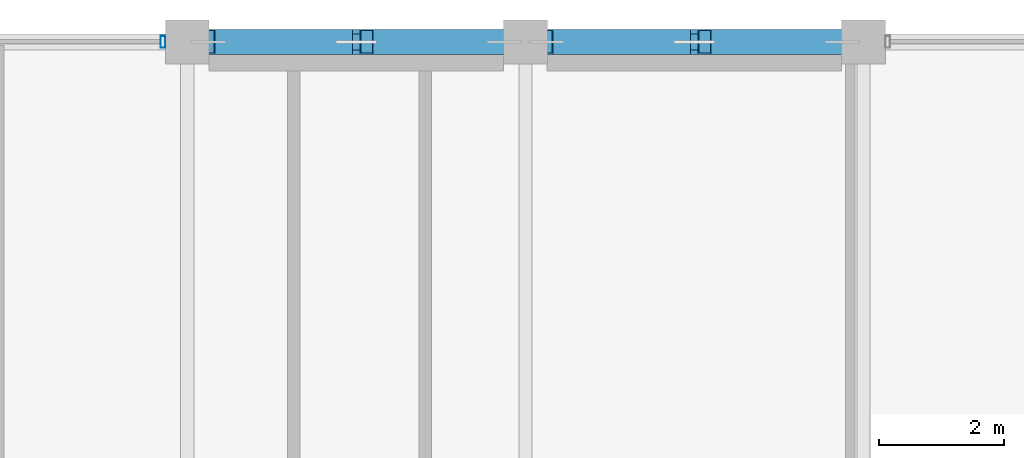
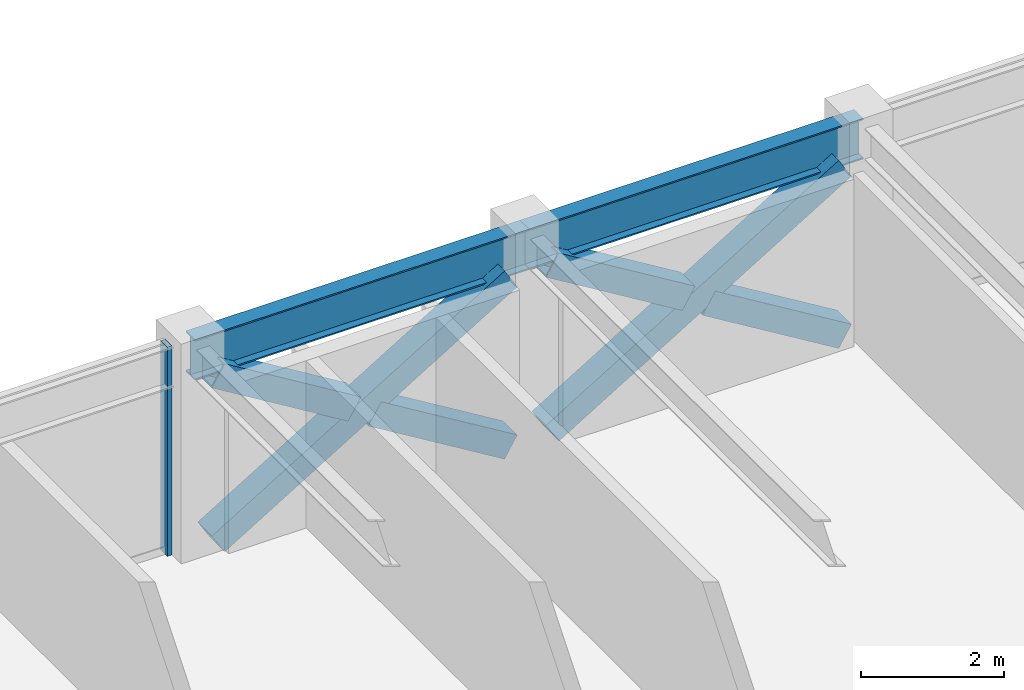
# One storey, part 19 of 31: 7 members, 2 beams, 1 element without a shape of its own.
"""IFC4 building model written with IfcOpenShell, lengths in metres."""

from ifc_helpers import new_model, si_unit, direction, frame, origin, origin_2d, place, context, subcontext, project, spatial, hollow_rectangle, i_section, extrude, material, layer, layer_set, material_profile, profile_set, type_object, element, aggregate, save


model = new_model("IFC4")

# Units and contexts
model_context = context("Model", 3, precision=1e-05, world=origin(), true_north=direction((0.0, 1.0)))
body_context = subcontext(model_context, "Body", "Model", "MODEL_VIEW")
ifc_project = project(units=[si_unit("LENGTHUNIT", "METRE"), si_unit("AREAUNIT", "SQUARE_METRE"), si_unit("VOLUMEUNIT", "CUBIC_METRE"), si_unit("PLANEANGLEUNIT", "RADIAN"), si_unit("MASSUNIT", "GRAM", prefix="KILO")], contexts=[model_context])

# Site, building, storey
site_placement = place(None, origin())
site = spatial("IfcSite", under=ifc_project, at=site_placement, CompositionType="ELEMENT")
building_placement = place(site_placement, origin())
building = spatial("IfcBuilding", under=site, at=building_placement, Name="Surkhivell Harbour Commons", CompositionType="ELEMENT")
storey_placement = place(building_placement, frame((0.0, 0.0, 288.75)))
storey = spatial("IfcBuildingStorey", under=building, at=storey_placement, Name="L75", CompositionType="ELEMENT", Elevation=288.75)

# Beams
ifc_material_1 = material(Name="Steel S355", Category="steel")
ifc_material_profile_1 = material_profile(ifc_material_1, i_section(OverallWidth=0.256103515625, OverallDepth=0.693115234375, WebThickness=0.014404296875, FlangeThickness=0.023681640625, at=origin_2d()), Name="UB686x254x170")
ifc_profile_set_1 = profile_set([ifc_material_profile_1], Name="Steel S355")
beam_type = type_object("IfcBeamType", Name="BM-SPN-686", PredefinedType="SPANDREL", material=ifc_profile_set_1)
for number, where, z_axis, x_axis, name in (
    (1, (-5.39990234375, 25.89990234375, 3.223388671875), (1.0, 0.0, 0.0), (0.0, 1.0, 0.0), "L75 Tube Spandrel (-5.4,25.9)"),
    (2, (0.0, 25.89990234375, 3.223388671875), (1.0, 0.0, 0.0), (0.0, 1.0, 0.0), "L75 Tube Spandrel (-0.0,25.9)"),
):
    element("IfcBeam", number, at=place(storey_placement, frame(where, z_axis=z_axis, x_axis=x_axis)), inside=storey, type_object=beam_type, Name=name, PredefinedType="SPANDREL", context=body_context, shape_type="SweptSolid", body=[
        extrude(i_section(OverallWidth=0.256103515625, OverallDepth=0.693115234375, WebThickness=0.014404296875, FlangeThickness=0.023681640625, at=origin_2d()), origin(), (0.0, 0.0, 1.0), 5.39990234375),
    ])

# Curtain wall, member
ifc_material_2 = material(Name="Anodised pale-metal aluminium and insulated glazing", Category="aluminium")
ifc_layer = layer(ifc_material_2, 0.175048828125)
ifc_layer_set = layer_set([ifc_layer], Name="Anodised pale-metal aluminium and insulated glazing")
curtain_wall_type = type_object("IfcCurtainWallType", Name="CW-SYS-Z4", PredefinedType="NOTDEFINED", material=ifc_layer_set)
curtain_wall_placement = place(storey_placement, origin())
curtain_wall = element("IfcCurtainWall", 3, at=curtain_wall_placement, inside=storey, type_object=curtain_wall_type, Name="L75 Curtain Wall CW-L75-E07S2", PredefinedType="NOTDEFINED")
ifc_material_3 = material(Name="Anodised pale-metal aluminium alloy 6063-T6", Category="aluminium")
ifc_material_profile_2 = material_profile(ifc_material_3, hollow_rectangle(XDim=0.074951171875, YDim=0.18994140625, WallThickness=0.00390625, at=origin_2d()), Name="ALU-MULL-75x190")
ifc_profile_set_2 = profile_set([ifc_material_profile_2], Name="Anodised pale-metal aluminium alloy 6063-T6")
member_type_1 = type_object("IfcMemberType", Name="CWM-190", PredefinedType="MULLION", material=ifc_profile_set_2)
member_1_placement = place(storey_placement, frame((-5.78955078125, 25.89990234375, 0.0), z_axis=(0.0, 0.0, 1.0), x_axis=(-1.0, 0.0, 0.0)))
member_1 = element("IfcMember", 4, at=member_1_placement, type_object=member_type_1, Name="CW-Z4 mullion 1", PredefinedType="MULLION", context=body_context, shape_type="SweptSolid", body=[
    extrude(hollow_rectangle(XDim=0.074951171875, YDim=0.18994140625, WallThickness=0.00390625, at=origin_2d()), origin(), (0.0, 0.0, 1.0), 3.570068359375),
])
aggregate(curtain_wall, [member_1])

# Members
ifc_material_4 = material(Name="Steel S460", Category="steel")
ifc_material_profile_3 = material_profile(ifc_material_4, hollow_rectangle(XDim=0.39990234375, YDim=0.39990234375, WallThickness=0.02001953125, at=origin_2d()), Name="SHS400x400x20")
ifc_profile_set_3 = profile_set([ifc_material_profile_3], Name="Steel S460")
member_type_2 = type_object("IfcMemberType", Name="MEM-BRC-SHS400", PredefinedType="BRACE", material=ifc_profile_set_3)
member_2_placement = place(storey_placement, frame((-5.06494140625, 25.89990234375, 0.008056640625), z_axis=(0.854685454322, 0.0, 0.519146197299), x_axis=(0.0, 1.0, 0.0)))
element("IfcMember", 5, at=member_2_placement, inside=storey, type_object=member_type_2, Name="L75 Perimeter Mega-Brace MB- 01", PredefinedType="BRACE", context=body_context, shape_type="SweptSolid", body=[
    extrude(hollow_rectangle(XDim=0.39990234375, YDim=0.39990234375, WallThickness=0.02001953125, at=origin_2d()), origin(), (0.0, 0.0, 1.0), 5.5341796875),
])
member_3_placement = place(storey_placement, frame((-0.3349609375, 25.89990234375, 0.008056640625), z_axis=(-0.854719912157, 0.0, 0.519089464122), x_axis=(0.0, -1.0, 0.0)))
element("IfcMember", 6, at=member_3_placement, inside=storey, type_object=member_type_2, Name="L75 Perimeter Mega-Brace MB- 02", PredefinedType="BRACE", context=body_context, shape_type="SweptSolid", body=[
    extrude(hollow_rectangle(XDim=0.39990234375, YDim=0.39990234375, WallThickness=0.02001953125, at=origin_2d()), origin(), (0.0, 0.0, 1.0), 2.574951171875),
])
member_4_placement = place(storey_placement, frame((-2.864013671875, 25.89990234375, 1.544189453125), z_axis=(-0.854677846108, 0.0, 0.519158722716), x_axis=(0.0, -1.0, 0.0)))
element("IfcMember", 7, at=member_4_placement, inside=storey, type_object=member_type_2, Name="L75 Perimeter Mega-Brace MB- 03", PredefinedType="BRACE", context=body_context, shape_type="SweptSolid", body=[
    extrude(hollow_rectangle(XDim=0.39990234375, YDim=0.39990234375, WallThickness=0.02001953125, at=origin_2d()), origin(), (0.0, 0.0, 1.0), 2.5751953125),
])
member_5_placement = place(storey_placement, frame((0.3349609375, 25.89990234375, 0.008056640625), z_axis=(0.854685454322, 0.0, 0.519146197299), x_axis=(0.0, 1.0, 0.0)))
element("IfcMember", 8, at=member_5_placement, inside=storey, type_object=member_type_2, Name="L75 Perimeter Mega-Brace MB- 04", PredefinedType="BRACE", context=body_context, shape_type="SweptSolid", body=[
    extrude(hollow_rectangle(XDim=0.39990234375, YDim=0.39990234375, WallThickness=0.02001953125, at=origin_2d()), origin(), (0.0, 0.0, 1.0), 5.5341796875),
])
member_6_placement = place(storey_placement, frame((5.06494140625, 25.89990234375, 0.008056640625), z_axis=(-0.854719912157, 0.0, 0.519089464122), x_axis=(0.0, -1.0, 0.0)))
element("IfcMember", 9, at=member_6_placement, inside=storey, type_object=member_type_2, Name="L75 Perimeter Mega-Brace MB- 05", PredefinedType="BRACE", context=body_context, shape_type="SweptSolid", body=[
    extrude(hollow_rectangle(XDim=0.39990234375, YDim=0.39990234375, WallThickness=0.02001953125, at=origin_2d()), origin(), (0.0, 0.0, 1.0), 2.574951171875),
])
member_7_placement = place(storey_placement, frame((2.535888671875, 25.89990234375, 1.544189453125), z_axis=(-0.854677846108, 0.0, 0.519158722716), x_axis=(0.0, -1.0, 0.0)))
element("IfcMember", 10, at=member_7_placement, inside=storey, type_object=member_type_2, Name="L75 Perimeter Mega-Brace MB- 06", PredefinedType="BRACE", context=body_context, shape_type="SweptSolid", body=[
    extrude(hollow_rectangle(XDim=0.39990234375, YDim=0.39990234375, WallThickness=0.02001953125, at=origin_2d()), origin(), (0.0, 0.0, 1.0), 2.5751953125),
])

save(model, "model.ifc")
